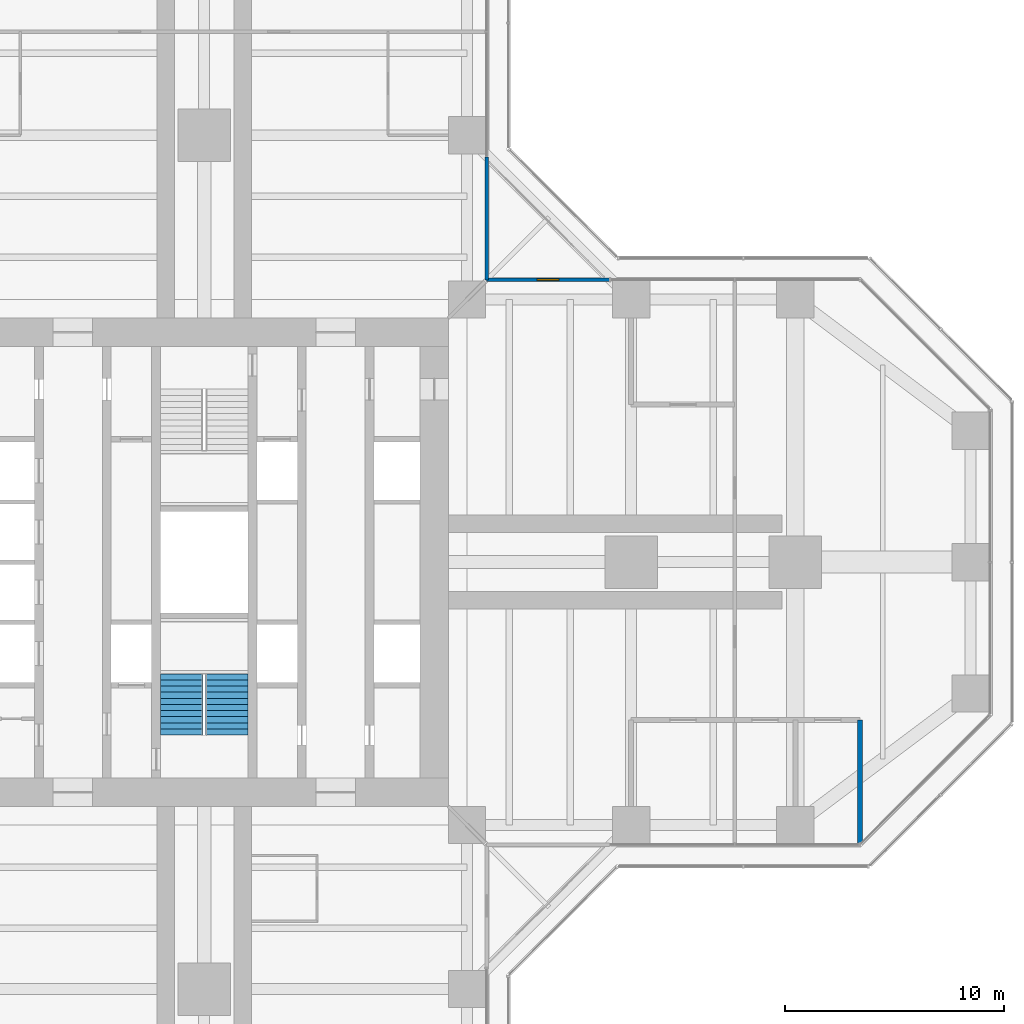
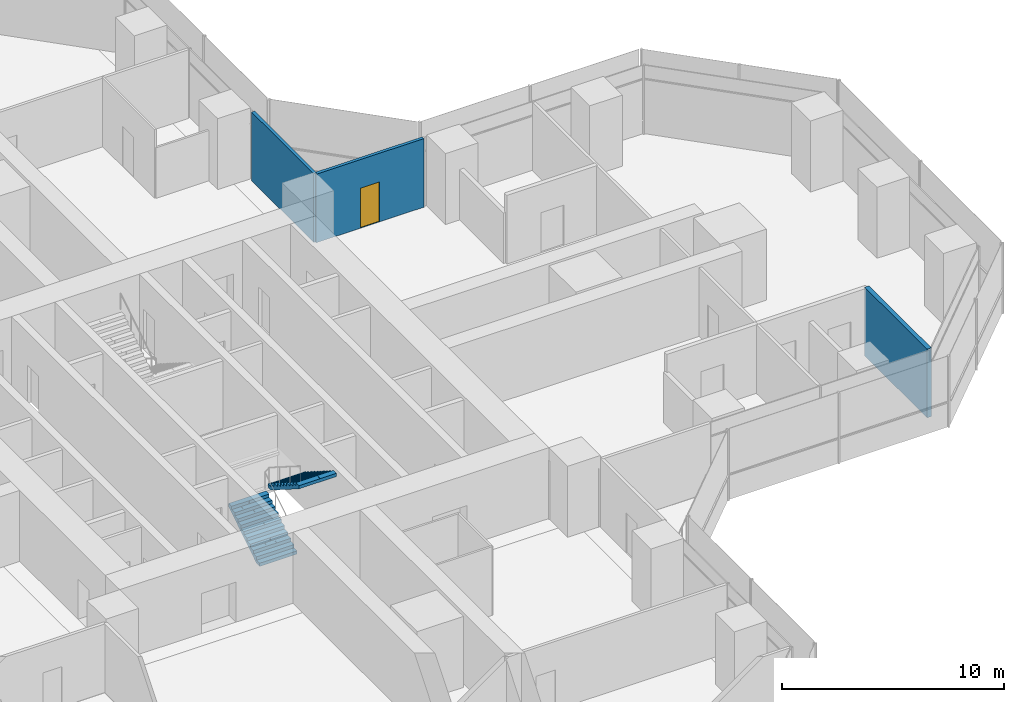
# One storey, part 20 of 22: 3 walls, 2 stair flights, 1 door, 1 opening, 1 element without a shape of its own.
"""IFC4 building model written with IfcOpenShell, lengths in metres."""

from ifc_helpers import new_model, si_unit, direction, frame, frame_2d, origin, place, context, subcontext, project, spatial, polyline, rectangle, outline, extrude, material, layer, layer_set, type_object, element, fill, aggregate, save


model = new_model("IFC4")

# Units and contexts
model_context = context("Model", 3, precision=1e-05, world=origin(), true_north=direction((0.0, 1.0)))
body_context = subcontext(model_context, "Body", "Model", "MODEL_VIEW")
ifc_project = project(units=[si_unit("LENGTHUNIT", "METRE"), si_unit("AREAUNIT", "SQUARE_METRE"), si_unit("VOLUMEUNIT", "CUBIC_METRE"), si_unit("PLANEANGLEUNIT", "RADIAN"), si_unit("MASSUNIT", "GRAM", prefix="KILO")], contexts=[model_context])

# Site, building, storey
site_placement = place(None, origin())
site = spatial("IfcSite", under=ifc_project, at=site_placement, CompositionType="ELEMENT")
building_placement = place(site_placement, origin())
building = spatial("IfcBuilding", under=site, at=building_placement, Name="Mizan Broadcast Tower", CompositionType="ELEMENT")
storey_placement = place(building_placement, frame((0.0, 0.0, 78.60009765625)))
storey = spatial("IfcBuildingStorey", under=building, at=storey_placement, Name="L16", CompositionType="ELEMENT", Elevation=78.60009765625)

# Wall, opening, door
ifc_material_1 = material(Name="Aluminium framed glazed screen", Category="aluminium")
ifc_layer_1 = layer(ifc_material_1, 0.159912109375)
ifc_layer_set_1 = layer_set([ifc_layer_1], Name="Aluminium framed glazed screen")
wall_type_1 = type_object("IfcWallType", Name="GLAZED SCREEN WALL 160", PredefinedType="SOLIDWALL", material=ifc_layer_set_1)
wall_1_placement = place(storey_placement, frame((18.5, 12.89990234375, 0.0), z_axis=(0.0, 0.0, 1.0), x_axis=(-1.0, 0.0, 0.0)))
wall_1 = element("IfcWall", 1, at=wall_1_placement, inside=storey, type_object=wall_type_1, Name="Winter garden screen L16 E", PredefinedType="SOLIDWALL", context=body_context, shape_type="SweptSolid", body=[
    extrude(rectangle(XDim=5.60009765625, YDim=0.159912109375, at=frame_2d((2.800048828125, 0.0))), origin(), (0.0, 0.0, 1.0), 3.77001953125),
])
opening_placement = place(wall_1_placement, frame((2.300048828125, 0.0, 0.0)))
opening = element("IfcOpeningElement", 2, at=opening_placement, cuts=wall_1, Name="Opening WGD", PredefinedType="OPENING", context=body_context, shape_type="SweptSolid", body=[
    extrude(rectangle(XDim=1.0, YDim=2.199951171875, at=frame_2d((0.5, 1.10009765625))), frame((0.0, 0.08984375, 0.0), z_axis=(0.0, -1.0, 0.0), x_axis=(1.0, 0.0, 0.0)), (0.0, 0.0, 1.0), 0.179931640625),
])
ifc_material_2 = material(Name="Aluminium framed glazed door", Category="aluminium")
door_type = type_object("IfcDoorType", Name="WINTER GARDEN DOOR 1000 GLAZED", OperationType="SINGLE_SWING_LEFT", PredefinedType="DOOR", material=ifc_material_2)
door_placement = place(opening_placement, origin())
door = element("IfcDoor", 3, at=door_placement, inside=storey, type_object=door_type, Name="Winter garden door L16 E", OperationType="SINGLE_SWING_RIGHT", OverallHeight=2.199951171875, OverallWidth=1.0, PredefinedType="DOOR", context=body_context, shape_type="SweptSolid", body=[
    extrude(rectangle(XDim=1.0, YDim=2.199951171875, at=frame_2d((0.5, 1.10009765625))), frame((0.0, 0.02490234375, 0.0), z_axis=(0.0, -1.0, 0.0), x_axis=(1.0, 0.0, 0.0)), (0.0, 0.0, 1.0), 0.050048828125),
])
fill(opening, door)

# Walls
wall_2_placement = place(storey_placement, frame((12.89990234375, 12.89990234375, 0.0), z_axis=(0.0, 0.0, 1.0), x_axis=(0.0, 1.0, 0.0)))
element("IfcWall", 4, at=wall_2_placement, inside=storey, type_object=wall_type_1, Name="Winter garden screen L16 N", PredefinedType="SOLIDWALL", context=body_context, shape_type="SweptSolid", body=[
    extrude(rectangle(XDim=5.60009765625, YDim=0.159912109375, at=frame_2d((2.800048828125, 0.0))), origin(), (0.0, 0.0, 1.0), 3.77001953125),
])
ifc_material_3 = material(Name="Twin steel stud acoustic partition, four layers of gypsum board", Category="steel")
ifc_layer_2 = layer(ifc_material_3, 0.22509765625)
ifc_layer_set_2 = layer_set([ifc_layer_2], Name="Twin steel stud acoustic partition, four layers of gypsum board")
wall_type_2 = type_object("IfcWallType", Name="PARTITION ACOUSTIC 225", PredefinedType="PARTITIONING", material=ifc_layer_set_2)
wall_3_placement = place(storey_placement, frame((29.958984375, -7.199951171875, 0.0), z_axis=(0.0, 0.0, 1.0), x_axis=(0.0, -1.0, 0.0)))
element("IfcWall", 5, at=wall_3_placement, inside=storey, type_object=wall_type_2, Name="Acoustic partition PT/EQN2996", PredefinedType="PARTITIONING", context=body_context, shape_type="SweptSolid", body=[
    extrude(rectangle(XDim=5.6201171875, YDim=0.22509765625, at=frame_2d((2.81005859375, 0.0))), origin(), (0.0, 0.0, 1.0), 3.77001953125),
])

# Stair, stair flights
ifc_material_4 = material(Name="Concrete C40/50", Category="concrete")
stair_type = type_object("IfcStairType", Name="EXIT STAIR", PredefinedType="HALF_TURN_STAIR", material=ifc_material_4)
stair_placement = place(storey_placement, origin())
stair = element("IfcStair", 6, at=stair_placement, inside=storey, type_object=stair_type, Name="Stair A L16", PredefinedType="HALF_TURN_STAIR")
ifc_material_5 = material(Name="Concrete C40/50", Category="concrete")
stair_flight_type = type_object("IfcStairFlightType", Name="EXIT STAIR FLIGHT", PredefinedType="STRAIGHT", material=ifc_material_5)
stair_flight_1_placement = place(storey_placement, frame((-1.02490234375, -7.89990234375, 0.0), z_axis=(0.0, 0.0, 1.0), x_axis=(0.0, 1.0, 0.0)))
stair_flight_1 = element("IfcStairFlight", 7, at=stair_flight_1_placement, type_object=stair_flight_type, Name="A flight 1", NumberOfRisers=11, NumberOfTreads=10, PredefinedType="STRAIGHT", RiserHeight=0.177272727, TreadLength=0.28, context=body_context, shape_type="SweptSolid", body=[
    extrude(outline(polyline([(0.0, 0.0), (0.0, 0.17724609375), (0.280029296875, 0.17724609375), (0.280029296875, 0.3544921875), (0.56005859375, 0.3544921875), (0.56005859375, 0.53173828125), (0.840087890625, 0.53173828125), (0.840087890625, 0.708984375), (1.1201171875, 0.708984375), (1.1201171875, 0.886474609375), (1.39990234375, 0.886474609375), (1.39990234375, 1.063720703125), (1.679931640625, 1.063720703125), (1.679931640625, 1.240966796875), (1.9599609375, 1.240966796875), (1.9599609375, 1.418212890625), (2.239990234375, 1.418212890625), (2.239990234375, 1.595458984375), (2.52001953125, 1.595458984375), (2.52001953125, 1.772705078125), (2.800048828125, 1.772705078125), (2.800048828125, 1.949951171875), (2.800048828125, 1.59521484375), (0.2802734375, 0.0), (0.0, 0.0)])), frame((0.0, 0.97509765625, 0.0), z_axis=(0.0, -1.0, 0.0), x_axis=(1.0, 0.0, 0.0)), (0.0, 0.0, 1.0), 0.4873046875),
    extrude(outline(polyline([(0.0, 0.0), (0.0, 0.17724609375), (0.280029296875, 0.17724609375), (0.280029296875, 0.3544921875), (0.56005859375, 0.3544921875), (0.56005859375, 0.53173828125), (0.840087890625, 0.53173828125), (0.840087890625, 0.708984375), (1.1201171875, 0.708984375), (1.1201171875, 0.886474609375), (1.39990234375, 0.886474609375), (1.39990234375, 1.063720703125), (1.679931640625, 1.063720703125), (1.679931640625, 1.240966796875), (1.9599609375, 1.240966796875), (1.9599609375, 1.418212890625), (2.239990234375, 1.418212890625), (2.239990234375, 1.595458984375), (2.52001953125, 1.595458984375), (2.52001953125, 1.772705078125), (2.800048828125, 1.772705078125), (2.800048828125, 1.949951171875), (2.800048828125, 1.59521484375), (0.2802734375, 0.0), (0.0, 0.0)])), frame((0.0, 0.4873046875, 0.0), z_axis=(0.0, -1.0, 0.0), x_axis=(1.0, 0.0, 0.0)), (0.0, 0.0, 1.0), 0.2431640625),
    extrude(outline(polyline([(0.0, 0.0), (0.0, 0.17724609375), (0.280029296875, 0.17724609375), (0.280029296875, 0.3544921875), (0.56005859375, 0.3544921875), (0.56005859375, 0.53173828125), (0.840087890625, 0.53173828125), (0.840087890625, 0.708984375), (1.1201171875, 0.708984375), (1.1201171875, 0.886474609375), (1.39990234375, 0.886474609375), (1.39990234375, 1.063720703125), (1.679931640625, 1.063720703125), (1.679931640625, 1.240966796875), (1.9599609375, 1.240966796875), (1.9599609375, 1.418212890625), (2.239990234375, 1.418212890625), (2.239990234375, 1.595458984375), (2.52001953125, 1.595458984375), (2.52001953125, 1.772705078125), (2.800048828125, 1.772705078125), (2.800048828125, 1.949951171875), (2.800048828125, 1.59521484375), (0.2802734375, 0.0), (0.0, 0.0)])), frame((0.0, 0.24365234375, 0.0), z_axis=(0.0, -1.0, 0.0), x_axis=(1.0, 0.0, 0.0)), (0.0, 0.0, 1.0), 0.121337890625),
    extrude(outline(polyline([(0.0, 0.0), (0.0, 0.17724609375), (0.280029296875, 0.17724609375), (0.280029296875, 0.3544921875), (0.56005859375, 0.3544921875), (0.56005859375, 0.53173828125), (0.840087890625, 0.53173828125), (0.840087890625, 0.708984375), (1.1201171875, 0.708984375), (1.1201171875, 0.886474609375), (1.39990234375, 0.886474609375), (1.39990234375, 1.063720703125), (1.679931640625, 1.063720703125), (1.679931640625, 1.240966796875), (1.9599609375, 1.240966796875), (1.9599609375, 1.418212890625), (2.239990234375, 1.418212890625), (2.239990234375, 1.595458984375), (2.52001953125, 1.595458984375), (2.52001953125, 1.772705078125), (2.800048828125, 1.772705078125), (2.800048828125, 1.949951171875), (2.800048828125, 1.59521484375), (0.2802734375, 0.0), (0.0, 0.0)])), frame((0.0, 0.121826171875, 0.0), z_axis=(0.0, -1.0, 0.0), x_axis=(1.0, 0.0, 0.0)), (0.0, 0.0, 1.0), 0.060546875),
    extrude(outline(polyline([(0.0, 0.0), (0.0, 0.17724609375), (0.280029296875, 0.17724609375), (0.280029296875, 0.3544921875), (0.56005859375, 0.3544921875), (0.56005859375, 0.53173828125), (0.840087890625, 0.53173828125), (0.840087890625, 0.708984375), (1.1201171875, 0.708984375), (1.1201171875, 0.886474609375), (1.39990234375, 0.886474609375), (1.39990234375, 1.063720703125), (1.679931640625, 1.063720703125), (1.679931640625, 1.240966796875), (1.9599609375, 1.240966796875), (1.9599609375, 1.418212890625), (2.239990234375, 1.418212890625), (2.239990234375, 1.595458984375), (2.52001953125, 1.595458984375), (2.52001953125, 1.772705078125), (2.800048828125, 1.772705078125), (2.800048828125, 1.949951171875), (2.800048828125, 1.59521484375), (0.2802734375, 0.0), (0.0, 0.0)])), frame((0.0, 0.060791015625, 0.0), z_axis=(0.0, -1.0, 0.0), x_axis=(1.0, 0.0, 0.0)), (0.0, 0.0, 1.0), 0.030029296875),
    extrude(outline(polyline([(0.0, 0.0), (0.0, 0.17724609375), (0.280029296875, 0.17724609375), (0.280029296875, 0.3544921875), (0.56005859375, 0.3544921875), (0.56005859375, 0.53173828125), (0.840087890625, 0.53173828125), (0.840087890625, 0.708984375), (1.1201171875, 0.708984375), (1.1201171875, 0.886474609375), (1.39990234375, 0.886474609375), (1.39990234375, 1.063720703125), (1.679931640625, 1.063720703125), (1.679931640625, 1.240966796875), (1.9599609375, 1.240966796875), (1.9599609375, 1.418212890625), (2.239990234375, 1.418212890625), (2.239990234375, 1.595458984375), (2.52001953125, 1.595458984375), (2.52001953125, 1.772705078125), (2.800048828125, 1.772705078125), (2.800048828125, 1.949951171875), (2.800048828125, 1.59521484375), (0.2802734375, 0.0), (0.0, 0.0)])), frame((0.0, 0.0302734375, 0.0), z_axis=(0.0, -1.0, 0.0), x_axis=(1.0, 0.0, 0.0)), (0.0, 0.0, 1.0), 0.060302734375),
    extrude(outline(polyline([(0.0, 0.0), (0.0, 0.17724609375), (0.280029296875, 0.17724609375), (0.280029296875, 0.3544921875), (0.56005859375, 0.3544921875), (0.56005859375, 0.53173828125), (0.840087890625, 0.53173828125), (0.840087890625, 0.708984375), (1.1201171875, 0.708984375), (1.1201171875, 0.886474609375), (1.39990234375, 0.886474609375), (1.39990234375, 1.063720703125), (1.679931640625, 1.063720703125), (1.679931640625, 1.240966796875), (1.9599609375, 1.240966796875), (1.9599609375, 1.418212890625), (2.239990234375, 1.418212890625), (2.239990234375, 1.595458984375), (2.52001953125, 1.595458984375), (2.52001953125, 1.772705078125), (2.800048828125, 1.772705078125), (2.800048828125, 1.949951171875), (2.800048828125, 1.59521484375), (0.2802734375, 0.0), (0.0, 0.0)])), frame((0.0, -0.030517578125, 0.0), z_axis=(0.0, -1.0, 0.0), x_axis=(1.0, 0.0, 0.0)), (0.0, 0.0, 1.0), 0.030029296875),
    extrude(outline(polyline([(0.0, 0.0), (0.0, 0.17724609375), (0.280029296875, 0.17724609375), (0.280029296875, 0.3544921875), (0.56005859375, 0.3544921875), (0.56005859375, 0.53173828125), (0.840087890625, 0.53173828125), (0.840087890625, 0.708984375), (1.1201171875, 0.708984375), (1.1201171875, 0.886474609375), (1.39990234375, 0.886474609375), (1.39990234375, 1.063720703125), (1.679931640625, 1.063720703125), (1.679931640625, 1.240966796875), (1.9599609375, 1.240966796875), (1.9599609375, 1.418212890625), (2.239990234375, 1.418212890625), (2.239990234375, 1.595458984375), (2.52001953125, 1.595458984375), (2.52001953125, 1.772705078125), (2.800048828125, 1.772705078125), (2.800048828125, 1.949951171875), (2.800048828125, 1.59521484375), (0.2802734375, 0.0), (0.0, 0.0)])), frame((0.0, -0.06103515625, 0.0), z_axis=(0.0, -1.0, 0.0), x_axis=(1.0, 0.0, 0.0)), (0.0, 0.0, 1.0), 0.060546875),
    extrude(outline(polyline([(0.0, 0.0), (0.0, 0.17724609375), (0.280029296875, 0.17724609375), (0.280029296875, 0.3544921875), (0.56005859375, 0.3544921875), (0.56005859375, 0.53173828125), (0.840087890625, 0.53173828125), (0.840087890625, 0.708984375), (1.1201171875, 0.708984375), (1.1201171875, 0.886474609375), (1.39990234375, 0.886474609375), (1.39990234375, 1.063720703125), (1.679931640625, 1.063720703125), (1.679931640625, 1.240966796875), (1.9599609375, 1.240966796875), (1.9599609375, 1.418212890625), (2.239990234375, 1.418212890625), (2.239990234375, 1.595458984375), (2.52001953125, 1.595458984375), (2.52001953125, 1.772705078125), (2.800048828125, 1.772705078125), (2.800048828125, 1.949951171875), (2.800048828125, 1.59521484375), (0.2802734375, 0.0), (0.0, 0.0)])), frame((0.0, -0.1220703125, 0.0), z_axis=(0.0, -1.0, 0.0), x_axis=(1.0, 0.0, 0.0)), (0.0, 0.0, 1.0), 0.121337890625),
    extrude(outline(polyline([(0.0, 0.0), (0.0, 0.17724609375), (0.280029296875, 0.17724609375), (0.280029296875, 0.3544921875), (0.56005859375, 0.3544921875), (0.56005859375, 0.53173828125), (0.840087890625, 0.53173828125), (0.840087890625, 0.708984375), (1.1201171875, 0.708984375), (1.1201171875, 0.886474609375), (1.39990234375, 0.886474609375), (1.39990234375, 1.063720703125), (1.679931640625, 1.063720703125), (1.679931640625, 1.240966796875), (1.9599609375, 1.240966796875), (1.9599609375, 1.418212890625), (2.239990234375, 1.418212890625), (2.239990234375, 1.595458984375), (2.52001953125, 1.595458984375), (2.52001953125, 1.772705078125), (2.800048828125, 1.772705078125), (2.800048828125, 1.949951171875), (2.800048828125, 1.59521484375), (0.2802734375, 0.0), (0.0, 0.0)])), frame((0.0, -0.243896484375, 0.0), z_axis=(0.0, -1.0, 0.0), x_axis=(1.0, 0.0, 0.0)), (0.0, 0.0, 1.0), 0.2431640625),
    extrude(outline(polyline([(0.0, 0.0), (0.0, 0.17724609375), (0.280029296875, 0.17724609375), (0.280029296875, 0.3544921875), (0.56005859375, 0.3544921875), (0.56005859375, 0.53173828125), (0.840087890625, 0.53173828125), (0.840087890625, 0.708984375), (1.1201171875, 0.708984375), (1.1201171875, 0.886474609375), (1.39990234375, 0.886474609375), (1.39990234375, 1.063720703125), (1.679931640625, 1.063720703125), (1.679931640625, 1.240966796875), (1.9599609375, 1.240966796875), (1.9599609375, 1.418212890625), (2.239990234375, 1.418212890625), (2.239990234375, 1.595458984375), (2.52001953125, 1.595458984375), (2.52001953125, 1.772705078125), (2.800048828125, 1.772705078125), (2.800048828125, 1.949951171875), (2.800048828125, 1.59521484375), (0.2802734375, 0.0), (0.0, 0.0)])), frame((0.0, -0.487548828125, 0.0), z_axis=(0.0, -1.0, 0.0), x_axis=(1.0, 0.0, 0.0)), (0.0, 0.0, 1.0), 0.4873046875),
])
stair_flight_2_placement = place(storey_placement, frame((1.02490234375, -5.10009765625, 1.949951171875), z_axis=(0.0, 0.0, 1.0), x_axis=(0.0, -1.0, 0.0)))
stair_flight_2 = element("IfcStairFlight", 8, at=stair_flight_2_placement, type_object=stair_flight_type, Name="A flight 2", NumberOfRisers=11, NumberOfTreads=10, PredefinedType="STRAIGHT", RiserHeight=0.177272727, TreadLength=0.28, context=body_context, shape_type="SweptSolid", body=[
    extrude(outline(polyline([(0.0, 0.0), (0.0, 0.17724609375), (0.280029296875, 0.17724609375), (0.280029296875, 0.3544921875), (0.56005859375, 0.3544921875), (0.56005859375, 0.53173828125), (0.840087890625, 0.53173828125), (0.840087890625, 0.708984375), (1.1201171875, 0.708984375), (1.1201171875, 0.886474609375), (1.39990234375, 0.886474609375), (1.39990234375, 1.063720703125), (1.679931640625, 1.063720703125), (1.679931640625, 1.240966796875), (1.9599609375, 1.240966796875), (1.9599609375, 1.418212890625), (2.239990234375, 1.418212890625), (2.239990234375, 1.595458984375), (2.52001953125, 1.595458984375), (2.52001953125, 1.772705078125), (2.800048828125, 1.772705078125), (2.800048828125, 1.949951171875), (2.800048828125, 1.59521484375), (0.2802734375, 0.0), (0.0, 0.0)])), frame((0.0, 0.97509765625, 0.0), z_axis=(0.0, -1.0, 0.0), x_axis=(1.0, 0.0, 0.0)), (0.0, 0.0, 1.0), 0.4873046875),
    extrude(outline(polyline([(0.0, 0.0), (0.0, 0.17724609375), (0.280029296875, 0.17724609375), (0.280029296875, 0.3544921875), (0.56005859375, 0.3544921875), (0.56005859375, 0.53173828125), (0.840087890625, 0.53173828125), (0.840087890625, 0.708984375), (1.1201171875, 0.708984375), (1.1201171875, 0.886474609375), (1.39990234375, 0.886474609375), (1.39990234375, 1.063720703125), (1.679931640625, 1.063720703125), (1.679931640625, 1.240966796875), (1.9599609375, 1.240966796875), (1.9599609375, 1.418212890625), (2.239990234375, 1.418212890625), (2.239990234375, 1.595458984375), (2.52001953125, 1.595458984375), (2.52001953125, 1.772705078125), (2.800048828125, 1.772705078125), (2.800048828125, 1.949951171875), (2.800048828125, 1.59521484375), (0.2802734375, 0.0), (0.0, 0.0)])), frame((0.0, 0.4873046875, 0.0), z_axis=(0.0, -1.0, 0.0), x_axis=(1.0, 0.0, 0.0)), (0.0, 0.0, 1.0), 0.2431640625),
    extrude(outline(polyline([(0.0, 0.0), (0.0, 0.17724609375), (0.280029296875, 0.17724609375), (0.280029296875, 0.3544921875), (0.56005859375, 0.3544921875), (0.56005859375, 0.53173828125), (0.840087890625, 0.53173828125), (0.840087890625, 0.708984375), (1.1201171875, 0.708984375), (1.1201171875, 0.886474609375), (1.39990234375, 0.886474609375), (1.39990234375, 1.063720703125), (1.679931640625, 1.063720703125), (1.679931640625, 1.240966796875), (1.9599609375, 1.240966796875), (1.9599609375, 1.418212890625), (2.239990234375, 1.418212890625), (2.239990234375, 1.595458984375), (2.52001953125, 1.595458984375), (2.52001953125, 1.772705078125), (2.800048828125, 1.772705078125), (2.800048828125, 1.949951171875), (2.800048828125, 1.59521484375), (0.2802734375, 0.0), (0.0, 0.0)])), frame((0.0, 0.24365234375, 0.0), z_axis=(0.0, -1.0, 0.0), x_axis=(1.0, 0.0, 0.0)), (0.0, 0.0, 1.0), 0.121337890625),
    extrude(outline(polyline([(0.0, 0.0), (0.0, 0.17724609375), (0.280029296875, 0.17724609375), (0.280029296875, 0.3544921875), (0.56005859375, 0.3544921875), (0.56005859375, 0.53173828125), (0.840087890625, 0.53173828125), (0.840087890625, 0.708984375), (1.1201171875, 0.708984375), (1.1201171875, 0.886474609375), (1.39990234375, 0.886474609375), (1.39990234375, 1.063720703125), (1.679931640625, 1.063720703125), (1.679931640625, 1.240966796875), (1.9599609375, 1.240966796875), (1.9599609375, 1.418212890625), (2.239990234375, 1.418212890625), (2.239990234375, 1.595458984375), (2.52001953125, 1.595458984375), (2.52001953125, 1.772705078125), (2.800048828125, 1.772705078125), (2.800048828125, 1.949951171875), (2.800048828125, 1.59521484375), (0.2802734375, 0.0), (0.0, 0.0)])), frame((0.0, 0.121826171875, 0.0), z_axis=(0.0, -1.0, 0.0), x_axis=(1.0, 0.0, 0.0)), (0.0, 0.0, 1.0), 0.060546875),
    extrude(outline(polyline([(0.0, 0.0), (0.0, 0.17724609375), (0.280029296875, 0.17724609375), (0.280029296875, 0.3544921875), (0.56005859375, 0.3544921875), (0.56005859375, 0.53173828125), (0.840087890625, 0.53173828125), (0.840087890625, 0.708984375), (1.1201171875, 0.708984375), (1.1201171875, 0.886474609375), (1.39990234375, 0.886474609375), (1.39990234375, 1.063720703125), (1.679931640625, 1.063720703125), (1.679931640625, 1.240966796875), (1.9599609375, 1.240966796875), (1.9599609375, 1.418212890625), (2.239990234375, 1.418212890625), (2.239990234375, 1.595458984375), (2.52001953125, 1.595458984375), (2.52001953125, 1.772705078125), (2.800048828125, 1.772705078125), (2.800048828125, 1.949951171875), (2.800048828125, 1.59521484375), (0.2802734375, 0.0), (0.0, 0.0)])), frame((0.0, 0.060791015625, 0.0), z_axis=(0.0, -1.0, 0.0), x_axis=(1.0, 0.0, 0.0)), (0.0, 0.0, 1.0), 0.030029296875),
    extrude(outline(polyline([(0.0, 0.0), (0.0, 0.17724609375), (0.280029296875, 0.17724609375), (0.280029296875, 0.3544921875), (0.56005859375, 0.3544921875), (0.56005859375, 0.53173828125), (0.840087890625, 0.53173828125), (0.840087890625, 0.708984375), (1.1201171875, 0.708984375), (1.1201171875, 0.886474609375), (1.39990234375, 0.886474609375), (1.39990234375, 1.063720703125), (1.679931640625, 1.063720703125), (1.679931640625, 1.240966796875), (1.9599609375, 1.240966796875), (1.9599609375, 1.418212890625), (2.239990234375, 1.418212890625), (2.239990234375, 1.595458984375), (2.52001953125, 1.595458984375), (2.52001953125, 1.772705078125), (2.800048828125, 1.772705078125), (2.800048828125, 1.949951171875), (2.800048828125, 1.59521484375), (0.2802734375, 0.0), (0.0, 0.0)])), frame((0.0, 0.0302734375, 0.0), z_axis=(0.0, -1.0, 0.0), x_axis=(1.0, 0.0, 0.0)), (0.0, 0.0, 1.0), 0.060302734375),
    extrude(outline(polyline([(0.0, 0.0), (0.0, 0.17724609375), (0.280029296875, 0.17724609375), (0.280029296875, 0.3544921875), (0.56005859375, 0.3544921875), (0.56005859375, 0.53173828125), (0.840087890625, 0.53173828125), (0.840087890625, 0.708984375), (1.1201171875, 0.708984375), (1.1201171875, 0.886474609375), (1.39990234375, 0.886474609375), (1.39990234375, 1.063720703125), (1.679931640625, 1.063720703125), (1.679931640625, 1.240966796875), (1.9599609375, 1.240966796875), (1.9599609375, 1.418212890625), (2.239990234375, 1.418212890625), (2.239990234375, 1.595458984375), (2.52001953125, 1.595458984375), (2.52001953125, 1.772705078125), (2.800048828125, 1.772705078125), (2.800048828125, 1.949951171875), (2.800048828125, 1.59521484375), (0.2802734375, 0.0), (0.0, 0.0)])), frame((0.0, -0.030517578125, 0.0), z_axis=(0.0, -1.0, 0.0), x_axis=(1.0, 0.0, 0.0)), (0.0, 0.0, 1.0), 0.030029296875),
    extrude(outline(polyline([(0.0, 0.0), (0.0, 0.17724609375), (0.280029296875, 0.17724609375), (0.280029296875, 0.3544921875), (0.56005859375, 0.3544921875), (0.56005859375, 0.53173828125), (0.840087890625, 0.53173828125), (0.840087890625, 0.708984375), (1.1201171875, 0.708984375), (1.1201171875, 0.886474609375), (1.39990234375, 0.886474609375), (1.39990234375, 1.063720703125), (1.679931640625, 1.063720703125), (1.679931640625, 1.240966796875), (1.9599609375, 1.240966796875), (1.9599609375, 1.418212890625), (2.239990234375, 1.418212890625), (2.239990234375, 1.595458984375), (2.52001953125, 1.595458984375), (2.52001953125, 1.772705078125), (2.800048828125, 1.772705078125), (2.800048828125, 1.949951171875), (2.800048828125, 1.59521484375), (0.2802734375, 0.0), (0.0, 0.0)])), frame((0.0, -0.06103515625, 0.0), z_axis=(0.0, -1.0, 0.0), x_axis=(1.0, 0.0, 0.0)), (0.0, 0.0, 1.0), 0.060546875),
    extrude(outline(polyline([(0.0, 0.0), (0.0, 0.17724609375), (0.280029296875, 0.17724609375), (0.280029296875, 0.3544921875), (0.56005859375, 0.3544921875), (0.56005859375, 0.53173828125), (0.840087890625, 0.53173828125), (0.840087890625, 0.708984375), (1.1201171875, 0.708984375), (1.1201171875, 0.886474609375), (1.39990234375, 0.886474609375), (1.39990234375, 1.063720703125), (1.679931640625, 1.063720703125), (1.679931640625, 1.240966796875), (1.9599609375, 1.240966796875), (1.9599609375, 1.418212890625), (2.239990234375, 1.418212890625), (2.239990234375, 1.595458984375), (2.52001953125, 1.595458984375), (2.52001953125, 1.772705078125), (2.800048828125, 1.772705078125), (2.800048828125, 1.949951171875), (2.800048828125, 1.59521484375), (0.2802734375, 0.0), (0.0, 0.0)])), frame((0.0, -0.1220703125, 0.0), z_axis=(0.0, -1.0, 0.0), x_axis=(1.0, 0.0, 0.0)), (0.0, 0.0, 1.0), 0.121337890625),
    extrude(outline(polyline([(0.0, 0.0), (0.0, 0.17724609375), (0.280029296875, 0.17724609375), (0.280029296875, 0.3544921875), (0.56005859375, 0.3544921875), (0.56005859375, 0.53173828125), (0.840087890625, 0.53173828125), (0.840087890625, 0.708984375), (1.1201171875, 0.708984375), (1.1201171875, 0.886474609375), (1.39990234375, 0.886474609375), (1.39990234375, 1.063720703125), (1.679931640625, 1.063720703125), (1.679931640625, 1.240966796875), (1.9599609375, 1.240966796875), (1.9599609375, 1.418212890625), (2.239990234375, 1.418212890625), (2.239990234375, 1.595458984375), (2.52001953125, 1.595458984375), (2.52001953125, 1.772705078125), (2.800048828125, 1.772705078125), (2.800048828125, 1.949951171875), (2.800048828125, 1.59521484375), (0.2802734375, 0.0), (0.0, 0.0)])), frame((0.0, -0.243896484375, 0.0), z_axis=(0.0, -1.0, 0.0), x_axis=(1.0, 0.0, 0.0)), (0.0, 0.0, 1.0), 0.2431640625),
    extrude(outline(polyline([(0.0, 0.0), (0.0, 0.17724609375), (0.280029296875, 0.17724609375), (0.280029296875, 0.3544921875), (0.56005859375, 0.3544921875), (0.56005859375, 0.53173828125), (0.840087890625, 0.53173828125), (0.840087890625, 0.708984375), (1.1201171875, 0.708984375), (1.1201171875, 0.886474609375), (1.39990234375, 0.886474609375), (1.39990234375, 1.063720703125), (1.679931640625, 1.063720703125), (1.679931640625, 1.240966796875), (1.9599609375, 1.240966796875), (1.9599609375, 1.418212890625), (2.239990234375, 1.418212890625), (2.239990234375, 1.595458984375), (2.52001953125, 1.595458984375), (2.52001953125, 1.772705078125), (2.800048828125, 1.772705078125), (2.800048828125, 1.949951171875), (2.800048828125, 1.59521484375), (0.2802734375, 0.0), (0.0, 0.0)])), frame((0.0, -0.487548828125, 0.0), z_axis=(0.0, -1.0, 0.0), x_axis=(1.0, 0.0, 0.0)), (0.0, 0.0, 1.0), 0.4873046875),
])
aggregate(stair, [stair_flight_1, stair_flight_2])

save(model, "model.ifc")
